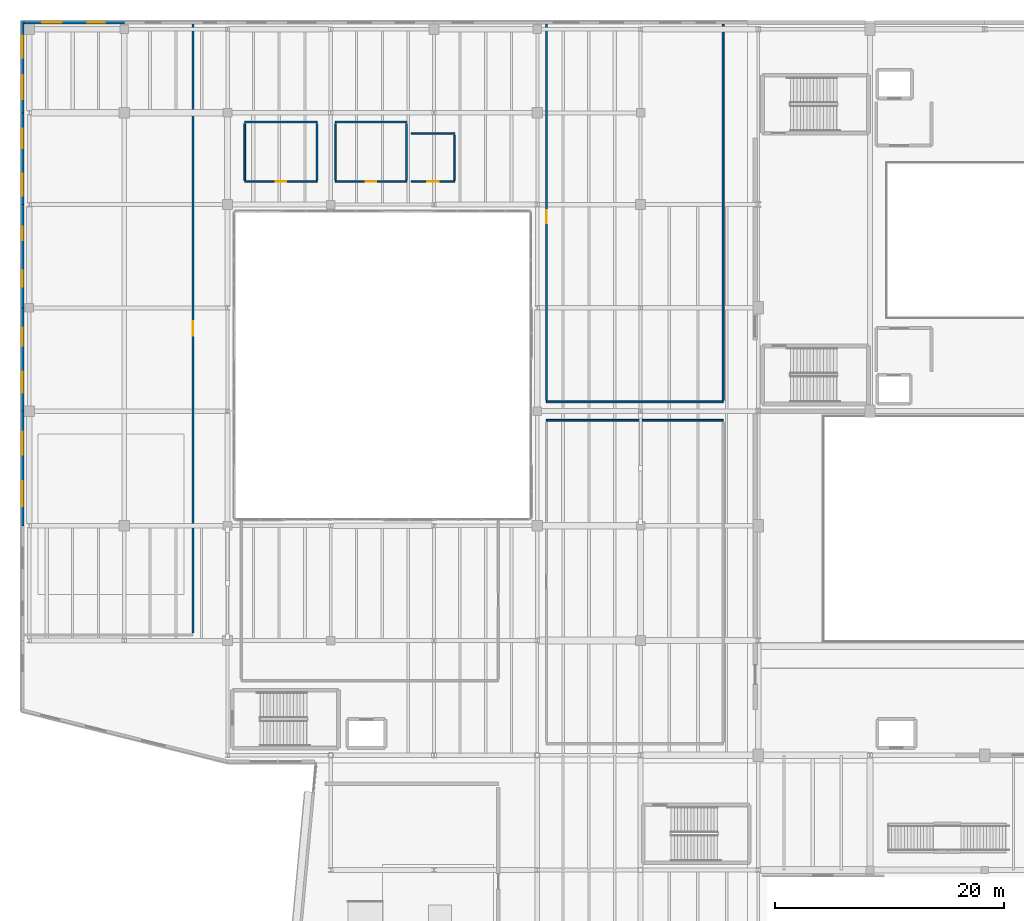
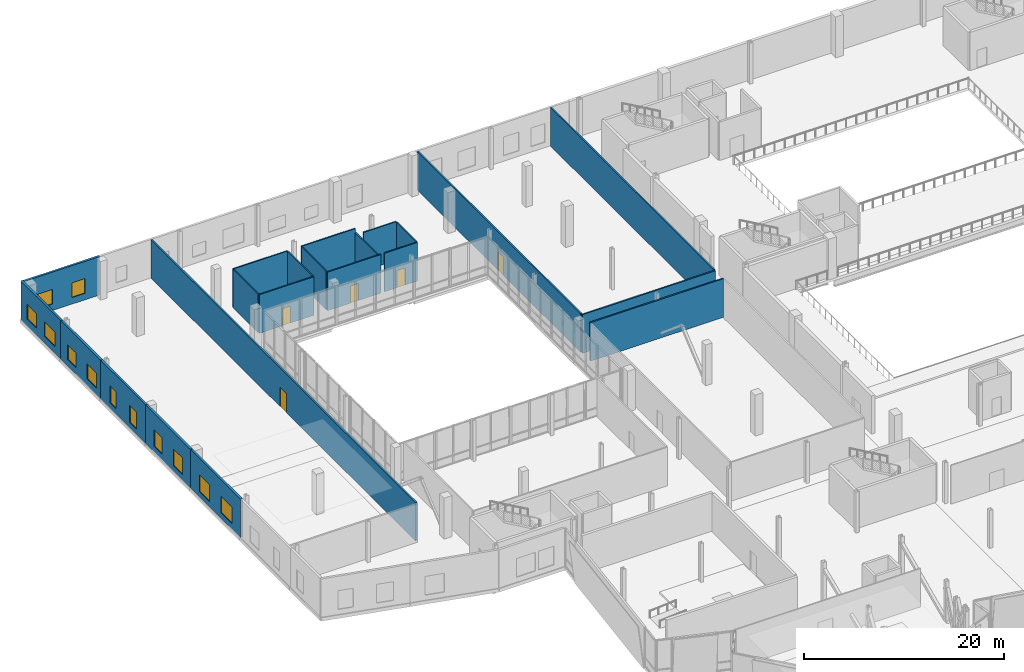
# One storey, part 56 of 73: 22 walls, 12 windows, 5 doors, 17 openings.
"""IFC4 building model written with IfcOpenShell, lengths in metres."""

from ifc_helpers import new_model, si_unit, direction, frame, frame_2d, origin, place, context, subcontext, project, spatial, rectangle, extrude, material, layer, layer_set, type_object, element, fill, save


model = new_model("IFC4")

# Units and contexts
model_context = context("Model", 3, precision=1e-05, world=origin(), true_north=direction((0.0, 1.0)))
body_context = subcontext(model_context, "Body", "Model", "MODEL_VIEW")
ifc_project = project(units=[si_unit("LENGTHUNIT", "METRE"), si_unit("AREAUNIT", "SQUARE_METRE"), si_unit("VOLUMEUNIT", "CUBIC_METRE"), si_unit("PLANEANGLEUNIT", "RADIAN"), si_unit("MASSUNIT", "GRAM", prefix="KILO")], contexts=[model_context])

# Site, building, storey
site_placement = place(None, origin())
site = spatial("IfcSite", under=ifc_project, at=site_placement, CompositionType="ELEMENT")
building_placement = place(site_placement, origin())
building = spatial("IfcBuilding", under=site, at=building_placement, Name="Trimount Lyric Opera House", CompositionType="ELEMENT")
storey_placement = place(building_placement, frame((0.0, 0.0, 10.0)))
storey = spatial("IfcBuildingStorey", under=building, at=storey_placement, Name="L02", CompositionType="ELEMENT", Elevation=10.0)

# Wall, opening, door
ifc_material_1 = material(Name="Moisture-Resistant Gypsum Board")
ifc_layer_1 = layer(ifc_material_1, 0.135009765625)
ifc_layer_set_1 = layer_set([ifc_layer_1], Name="WL-PT135")
wall_type_1 = type_object("IfcWallType", Name="WL-PT135", PredefinedType="PARTITIONING", material=ifc_layer_set_1)
wall_1_placement = place(storey_placement, frame((19.5, 104.0, 0.0), z_axis=(0.0, 0.0, 1.0), x_axis=(1.0, 0.0, 0.0)))
wall_1 = element("IfcWall", 1, at=wall_1_placement, inside=storey, type_object=wall_type_1, Name="L02 L02 Male Restroom S partition", PredefinedType="PARTITIONING", context=body_context, shape_type="SweptSolid", body=[
    extrude(rectangle(XDim=6.300048828125, YDim=0.135009765625, at=frame_2d((3.14990234375, 0.0))), origin(), (0.0, 0.0, 1.0), 4.719970703125),
])
opening_1_placement = place(wall_1_placement, frame((2.68994140625, 0.0, 0.0)))
opening_1 = element("IfcOpeningElement", 2, at=opening_1_placement, cuts=wall_1, Name="Opening DT-WC1", PredefinedType="OPENING", context=body_context, shape_type="SweptSolid", body=[
    extrude(rectangle(XDim=0.919921875, YDim=2.10009765625, at=frame_2d((0.4599609375, 1.050048828125))), frame((0.0, 0.07763671875, 0.0), z_axis=(0.0, -1.0, 0.0), x_axis=(1.0, 0.0, 0.0)), (0.0, 0.0, 1.0), 0.155029296875),
])
ifc_material_2 = material(Name="Moisture-Resistant Solid-Core Laminate")
door_type_1 = type_object("IfcDoorType", Name="DT-WC1", OperationType="NOTDEFINED", PredefinedType="DOOR", material=ifc_material_2)
door_1_placement = place(opening_1_placement, origin())
door_1 = element("IfcDoor", 3, at=door_1_placement, inside=storey, type_object=door_type_1, Name="D-220", OperationType="SINGLE_SWING_RIGHT", OverallHeight=2.10009765625, OverallWidth=0.919921875, PredefinedType="DOOR", context=body_context, shape_type="SweptSolid", body=[
    extrude(rectangle(XDim=0.919921875, YDim=2.10009765625, at=frame_2d((0.4599609375, 1.050048828125))), frame((0.0, 0.02490234375, 0.0), z_axis=(0.0, -1.0, 0.0), x_axis=(1.0, 0.0, 0.0)), (0.0, 0.0, 1.0), 0.050048828125),
])
fill(opening_1, door_1)

# Walls
wall_2_placement = place(storey_placement, frame((25.800048828125, 109.199951171875, 0.0), z_axis=(0.0, 0.0, 1.0), x_axis=(-1.0, 0.0, 0.0)))
element("IfcWall", 4, at=wall_2_placement, inside=storey, type_object=wall_type_1, Name="L02 L02 Male Restroom N partition", PredefinedType="PARTITIONING", context=body_context, shape_type="SweptSolid", body=[
    extrude(rectangle(XDim=6.300048828125, YDim=0.135009765625, at=frame_2d((3.14990234375, 0.0))), origin(), (0.0, 0.0, 1.0), 4.719970703125),
])
for number, where, z_axis, x_axis, name in (
    (5, (19.5, 109.06494140625, 0.0), (0.0, 0.0, 1.0), (0.0, -1.0, 0.0), "L02 L02 Male Restroom W partition"),
    (6, (25.800048828125, 104.135009765625, 0.0), (0.0, 0.0, 1.0), (0.0, 1.0, 0.0), "L02 L02 Male Restroom E partition"),
):
    element("IfcWall", number, at=place(storey_placement, frame(where, z_axis=z_axis, x_axis=x_axis)), inside=storey, type_object=wall_type_1, Name=name, PredefinedType="PARTITIONING", context=body_context, shape_type="SweptSolid", body=[
        extrude(rectangle(XDim=4.929931640625, YDim=0.135009765625, at=frame_2d((2.46484375, 0.0))), origin(), (0.0, 0.0, 1.0), 4.719970703125),
    ])

# Wall, opening, door
wall_3_placement = place(storey_placement, frame((27.39990234375, 104.0, 0.0), z_axis=(0.0, 0.0, 1.0), x_axis=(1.0, 0.0, 0.0)))
wall_3 = element("IfcWall", 7, at=wall_3_placement, inside=storey, type_object=wall_type_1, Name="L02 L02 Female Restroom S partition", PredefinedType="PARTITIONING", context=body_context, shape_type="SweptSolid", body=[
    extrude(rectangle(XDim=6.2001953125, YDim=0.135009765625, at=frame_2d((3.10009765625, 0.0))), origin(), (0.0, 0.0, 1.0), 4.719970703125),
])
opening_2_placement = place(wall_3_placement, frame((2.639892578125, 0.0, 0.0)))
opening_2 = element("IfcOpeningElement", 8, at=opening_2_placement, cuts=wall_3, Name="Opening DT-WC1", PredefinedType="OPENING", context=body_context, shape_type="SweptSolid", body=[
    extrude(rectangle(XDim=0.919921875, YDim=2.10009765625, at=frame_2d((0.4599609375, 1.050048828125))), frame((0.0, 0.07763671875, 0.0), z_axis=(0.0, -1.0, 0.0), x_axis=(1.0, 0.0, 0.0)), (0.0, 0.0, 1.0), 0.155029296875),
])
door_2_placement = place(opening_2_placement, origin())
door_2 = element("IfcDoor", 9, at=door_2_placement, inside=storey, type_object=door_type_1, Name="D-221", OperationType="SINGLE_SWING_LEFT", OverallHeight=2.10009765625, OverallWidth=0.919921875, PredefinedType="DOOR", context=body_context, shape_type="SweptSolid", body=[
    extrude(rectangle(XDim=0.919921875, YDim=2.10009765625, at=frame_2d((0.4599609375, 1.050048828125))), frame((0.0, 0.02490234375, 0.0), z_axis=(0.0, -1.0, 0.0), x_axis=(1.0, 0.0, 0.0)), (0.0, 0.0, 1.0), 0.050048828125),
])
fill(opening_2, door_2)

# Walls
wall_4_placement = place(storey_placement, frame((33.60009765625, 109.199951171875, 0.0), z_axis=(0.0, 0.0, 1.0), x_axis=(-1.0, 0.0, 0.0)))
element("IfcWall", 10, at=wall_4_placement, inside=storey, type_object=wall_type_1, Name="L02 L02 Female Restroom N partition", PredefinedType="PARTITIONING", context=body_context, shape_type="SweptSolid", body=[
    extrude(rectangle(XDim=6.2001953125, YDim=0.135009765625, at=frame_2d((3.10009765625, 0.0))), origin(), (0.0, 0.0, 1.0), 4.719970703125),
])
wall_5_placement = place(storey_placement, frame((27.39990234375, 109.06494140625, 0.0), z_axis=(0.0, 0.0, 1.0), x_axis=(0.0, -1.0, 0.0)))
element("IfcWall", 11, at=wall_5_placement, inside=storey, type_object=wall_type_1, Name="L02 L02 Female Restroom W partition", PredefinedType="PARTITIONING", context=body_context, shape_type="SweptSolid", body=[
    extrude(rectangle(XDim=4.929931640625, YDim=0.135009765625, at=frame_2d((2.46484375, 0.0))), origin(), (0.0, 0.0, 1.0), 4.719970703125),
])
wall_6_placement = place(storey_placement, frame((33.60009765625, 104.135009765625, 0.0), z_axis=(0.0, 0.0, 1.0), x_axis=(0.0, 1.0, 0.0)))
element("IfcWall", 12, at=wall_6_placement, inside=storey, type_object=wall_type_1, Name="L02 L02 Female Restroom E partition", PredefinedType="PARTITIONING", context=body_context, shape_type="SweptSolid", body=[
    extrude(rectangle(XDim=4.929931640625, YDim=0.135009765625, at=frame_2d((2.46484375, 0.0))), origin(), (0.0, 0.0, 1.0), 4.305908203125),
])

# Wall, opening, door
wall_7_placement = place(storey_placement, frame((34.0, 104.0, 0.0), z_axis=(0.0, 0.0, 1.0), x_axis=(1.0, 0.0, 0.0)))
wall_7 = element("IfcWall", 13, at=wall_7_placement, inside=storey, type_object=wall_type_1, Name="L02 L02 Accessible WC S partition", PredefinedType="PARTITIONING", context=body_context, shape_type="SweptSolid", body=[
    extrude(rectangle(XDim=3.800048828125, YDim=0.135009765625, at=frame_2d((1.89990234375, 0.0))), origin(), (0.0, 0.0, 1.0), 4.719970703125),
])
opening_3_placement = place(wall_7_placement, frame((1.409912109375, 0.0, 0.0)))
opening_3 = element("IfcOpeningElement", 14, at=opening_3_placement, cuts=wall_7, Name="Opening DT-WC2", PredefinedType="OPENING", context=body_context, shape_type="SweptSolid", body=[
    extrude(rectangle(XDim=0.97998046875, YDim=2.10009765625, at=frame_2d((0.489990234375, 1.050048828125))), frame((0.0, 0.07763671875, 0.0), z_axis=(0.0, -1.0, 0.0), x_axis=(1.0, 0.0, 0.0)), (0.0, 0.0, 1.0), 0.155029296875),
])
ifc_material_3 = material(Name="Moisture-Resistant Solid-Core Laminate")
door_type_2 = type_object("IfcDoorType", Name="DT-WC2", OperationType="NOTDEFINED", PredefinedType="DOOR", material=ifc_material_3)
door_3_placement = place(opening_3_placement, origin())
door_3 = element("IfcDoor", 15, at=door_3_placement, inside=storey, type_object=door_type_2, Name="D-222", OperationType="SINGLE_SWING_RIGHT", OverallHeight=2.10009765625, OverallWidth=0.97998046875, PredefinedType="DOOR", context=body_context, shape_type="SweptSolid", body=[
    extrude(rectangle(XDim=0.97998046875, YDim=2.10009765625, at=frame_2d((0.489990234375, 1.050048828125))), frame((0.0, 0.02490234375, 0.0), z_axis=(0.0, -1.0, 0.0), x_axis=(1.0, 0.0, 0.0)), (0.0, 0.0, 1.0), 0.050048828125),
])
fill(opening_3, door_3)

# Walls
wall_8_placement = place(storey_placement, frame((37.800048828125, 108.199951171875, 0.0), z_axis=(0.0, 0.0, 1.0), x_axis=(-1.0, 0.0, 0.0)))
element("IfcWall", 16, at=wall_8_placement, inside=storey, type_object=wall_type_1, Name="L02 L02 Accessible WC N partition", PredefinedType="PARTITIONING", context=body_context, shape_type="SweptSolid", body=[
    extrude(rectangle(XDim=3.800048828125, YDim=0.135009765625, at=frame_2d((1.89990234375, 0.0))), origin(), (0.0, 0.0, 1.0), 4.719970703125),
])
wall_9_placement = place(storey_placement, frame((37.800048828125, 104.135009765625, 0.0), z_axis=(0.0, 0.0, 1.0), x_axis=(0.0, 1.0, 0.0)))
element("IfcWall", 17, at=wall_9_placement, inside=storey, type_object=wall_type_1, Name="L02 L02 Accessible WC E partition", PredefinedType="PARTITIONING", context=body_context, shape_type="SweptSolid", body=[
    extrude(rectangle(XDim=3.929931640625, YDim=0.135009765625, at=frame_2d((1.96484375, 0.0))), origin(), (0.0, 0.0, 1.0), 4.719970703125),
])
ifc_material_4 = material(Name="Acoustic Double-Stud Gypsum Board")
ifc_layer_2 = layer(ifc_material_4, 0.1650390625)
ifc_layer_set_2 = layer_set([ifc_layer_2], Name="WL-PT165")
wall_type_2 = type_object("IfcWallType", Name="WL-PT165", PredefinedType="PARTITIONING", material=ifc_layer_set_2)
for number, where, z_axis, x_axis, name in (
    (18, (61.199951171875, 83.199951171875, 0.0), (0.0, 0.0, 1.0), (-1.0, 0.0, 0.0), "L02 Stage Movement & Fencing Studio N partition"),
    (19, (45.800048828125, 84.800048828125, 0.0), (0.0, 0.0, 1.0), (1.0, 0.0, 0.0), "L02 Chamber Music Practice Suite S partition"),
):
    element("IfcWall", number, at=place(storey_placement, frame(where, z_axis=z_axis, x_axis=x_axis)), inside=storey, type_object=wall_type_2, Name=name, PredefinedType="PARTITIONING", context=body_context, shape_type="SweptSolid", body=[
        extrude(rectangle(XDim=15.39990234375, YDim=0.1650390625, at=frame_2d((7.699951171875, 0.0))), origin(), (0.0, 0.0, 1.0), 4.719970703125),
    ])

# Wall, opening, door
wall_10_placement = place(storey_placement, frame((45.800048828125, 117.719970703125, 0.0), z_axis=(0.0, 0.0, 1.0), x_axis=(0.0, -1.0, 0.0)))
wall_10 = element("IfcWall", 20, at=wall_10_placement, inside=storey, type_object=wall_type_2, Name="L02 Chamber Music Practice Suite W partition", PredefinedType="PARTITIONING", context=body_context, shape_type="SweptSolid", body=[
    extrude(rectangle(XDim=32.7548828125, YDim=0.1650390625, at=frame_2d((16.37744140625, 0.0))), origin(), (0.0, 0.0, 1.0), 4.719970703125),
])
opening_4_placement = place(wall_10_placement, frame((16.217529296875, 0.0, 0.0)))
opening_4 = element("IfcOpeningElement", 21, at=opening_4_placement, cuts=wall_10, Name="Opening DT-AC2", PredefinedType="OPENING", context=body_context, shape_type="SweptSolid", body=[
    extrude(rectangle(XDim=1.1201171875, YDim=2.25, at=frame_2d((0.56005859375, 1.125))), frame((0.0, 0.092529296875, 0.0), z_axis=(0.0, -1.0, 0.0), x_axis=(1.0, 0.0, 0.0)), (0.0, 0.0, 1.0), 0.18505859375),
])
ifc_material_5 = material(Name="Acoustic Steel-Core Timber", Category="steel")
door_type_3 = type_object("IfcDoorType", Name="DT-AC2", OperationType="NOTDEFINED", PredefinedType="DOOR", material=ifc_material_5)
door_4_placement = place(opening_4_placement, origin())
door_4 = element("IfcDoor", 22, at=door_4_placement, inside=storey, type_object=door_type_3, Name="D-216", OperationType="SINGLE_SWING_RIGHT", OverallHeight=2.25, OverallWidth=1.1201171875, PredefinedType="DOOR", context=body_context, shape_type="SweptSolid", body=[
    extrude(rectangle(XDim=1.1201171875, YDim=2.25, at=frame_2d((0.56005859375, 1.125))), frame((0.0, 0.02490234375, 0.0), z_axis=(0.0, -1.0, 0.0), x_axis=(1.0, 0.0, 0.0)), (0.0, 0.0, 1.0), 0.050048828125),
])
fill(opening_4, door_4)

# Wall
wall_11_placement = place(storey_placement, frame((61.199951171875, 84.965087890625, 0.0), z_axis=(0.0, 0.0, 1.0), x_axis=(0.0, 1.0, 0.0)))
element("IfcWall", 23, at=wall_11_placement, inside=storey, type_object=wall_type_2, Name="L02 Chamber Music Practice Suite E partition", PredefinedType="PARTITIONING", context=body_context, shape_type="SweptSolid", body=[
    extrude(rectangle(XDim=32.7548828125, YDim=0.1650390625, at=frame_2d((16.37744140625, 0.0))), origin(), (0.0, 0.0, 1.0), 4.719970703125),
])

# Wall, opening, door
ifc_material_6 = material(Name="Acoustic Double-Stud Gypsum Board")
ifc_layer_3 = layer(ifc_material_6, 0.179931640625)
ifc_layer_set_3 = layer_set([ifc_layer_3], Name="WL-PT180")
wall_type_3 = type_object("IfcWallType", Name="WL-PT180", PredefinedType="PARTITIONING", material=ifc_layer_set_3)
wall_12_placement = place(storey_placement, frame((15.0, 64.679931640625, 0.0), z_axis=(0.0, 0.0, 1.0), x_axis=(0.0, 1.0, 0.0)))
wall_12 = element("IfcWall", 24, at=wall_12_placement, inside=storey, type_object=wall_type_3, Name="L02 Chorus Rehearsal Hall E partition", PredefinedType="PARTITIONING", context=body_context, shape_type="SweptSolid", body=[
    extrude(rectangle(XDim=53.0400390625, YDim=0.179931640625, at=frame_2d((26.52001953125, 0.0))), origin(), (0.0, 0.0, 1.0), 4.7099609375),
])
opening_5_placement = place(wall_12_placement, frame((25.8701171875, 0.0, 0.0)))
opening_5 = element("IfcOpeningElement", 25, at=opening_5_placement, cuts=wall_12, Name="Opening DT-AC1", PredefinedType="OPENING", context=body_context, shape_type="SweptSolid", body=[
    extrude(rectangle(XDim=1.300048828125, YDim=2.35009765625, at=frame_2d((0.64990234375, 1.175048828125))), frame((0.0, 0.10009765625, 0.0), z_axis=(0.0, -1.0, 0.0), x_axis=(1.0, 0.0, 0.0)), (0.0, 0.0, 1.0), 0.199951171875),
])
ifc_material_7 = material(Name="Acoustic Steel-Core Timber", Category="steel")
door_type_4 = type_object("IfcDoorType", Name="DT-AC1", OperationType="NOTDEFINED", PredefinedType="DOOR", material=ifc_material_7)
door_5_placement = place(opening_5_placement, origin())
door_5 = element("IfcDoor", 26, at=door_5_placement, inside=storey, type_object=door_type_4, Name="D-213", OperationType="SINGLE_SWING_LEFT", OverallHeight=2.35009765625, OverallWidth=1.300048828125, PredefinedType="DOOR", context=body_context, shape_type="SweptSolid", body=[
    extrude(rectangle(XDim=1.300048828125, YDim=2.35009765625, at=frame_2d((0.64990234375, 1.175048828125))), frame((0.0, 0.02490234375, 0.0), z_axis=(0.0, -1.0, 0.0), x_axis=(1.0, 0.0, 0.0)), (0.0, 0.0, 1.0), 0.050048828125),
])
fill(opening_5, door_5)

# Wall, openings, windows
ifc_material_8 = material(Name="Concrete C35/45", Category="concrete")
ifc_layer_4 = layer(ifc_material_8, 0.239990234375)
ifc_layer_set_4 = layer_set([ifc_layer_4], Name="WL-SW240")
wall_type_4 = type_object("IfcWallType", Name="WL-SW240", PredefinedType="SOLIDWALL", material=ifc_layer_set_4)
wall_13_placement = place(storey_placement, frame((0.139892578125, 74.0, 0.0), z_axis=(0.0, 0.0, 1.0), x_axis=(0.0, 1.0, 0.0)))
wall_13 = element("IfcWall", 27, at=wall_13_placement, inside=storey, type_object=wall_type_4, Name="L02 exterior facade wall 199", PredefinedType="SOLIDWALL", context=body_context, shape_type="SweptSolid", body=[
    extrude(rectangle(XDim=10.0, YDim=0.239990234375, at=frame_2d((5.0, 0.0))), origin(), (0.0, 0.0, 1.0), 4.7099609375),
])
opening_6_placement = place(wall_13_placement, frame((1.699951171875, 0.0, 0.64990234375)))
opening_6 = element("IfcOpeningElement", 28, at=opening_6_placement, cuts=wall_13, Name="Opening WT-09", PredefinedType="OPENING", context=body_context, shape_type="SweptSolid", body=[
    extrude(rectangle(XDim=2.199951171875, YDim=2.050048828125, at=frame_2d((1.10009765625, 1.02490234375))), frame((0.0, 0.1298828125, 0.0), z_axis=(0.0, -1.0, 0.0), x_axis=(1.0, 0.0, 0.0)), (0.0, 0.0, 1.0), 0.260009765625),
])
opening_7_placement = place(wall_13_placement, frame((6.199951171875, 0.0, 0.64990234375)))
opening_7 = element("IfcOpeningElement", 29, at=opening_7_placement, cuts=wall_13, Name="Opening WT-10", PredefinedType="OPENING", context=body_context, shape_type="SweptSolid", body=[
    extrude(rectangle(XDim=2.0, YDim=2.050048828125, at=frame_2d((1.0, 1.02490234375))), frame((0.0, 0.1298828125, 0.0), z_axis=(0.0, -1.0, 0.0), x_axis=(1.0, 0.0, 0.0)), (0.0, 0.0, 1.0), 0.260009765625),
])
ifc_material_9 = material(Name="Low-E Insulated Glazing in Bronze Frame", Category="glass")
window_type_1 = type_object("IfcWindowType", Name="WT-09", PartitioningType="DOUBLE_PANEL_VERTICAL", PredefinedType="WINDOW", material=ifc_material_9)
window_1_placement = place(opening_6_placement, origin())
window_1 = element("IfcWindow", 30, at=window_1_placement, inside=storey, type_object=window_type_1, Name="Window WT-09-0139", OverallHeight=2.050048828125, OverallWidth=2.199951171875, PartitioningType="SINGLE_PANEL", PredefinedType="WINDOW", context=body_context, shape_type="SweptSolid", body=[
    extrude(rectangle(XDim=2.199951171875, YDim=2.050048828125, at=frame_2d((1.10009765625, 1.02490234375))), frame((0.0, 0.030029296875, 0.0), z_axis=(0.0, -1.0, 0.0), x_axis=(1.0, 0.0, 0.0)), (0.0, 0.0, 1.0), 0.06005859375),
])
fill(opening_6, window_1)
ifc_material_10 = material(Name="Low-E Insulated Glazing in Bronze Frame", Category="glass")
window_type_2 = type_object("IfcWindowType", Name="WT-10", PartitioningType="DOUBLE_PANEL_VERTICAL", PredefinedType="WINDOW", material=ifc_material_10)
window_2_placement = place(opening_7_placement, origin())
window_2 = element("IfcWindow", 31, at=window_2_placement, inside=storey, type_object=window_type_2, Name="Window WT-10-0140", OverallHeight=2.050048828125, OverallWidth=2.0, PartitioningType="SINGLE_PANEL", PredefinedType="WINDOW", context=body_context, shape_type="SweptSolid", body=[
    extrude(rectangle(XDim=2.0, YDim=2.050048828125, at=frame_2d((1.0, 1.02490234375))), frame((0.0, 0.030029296875, 0.0), z_axis=(0.0, -1.0, 0.0), x_axis=(1.0, 0.0, 0.0)), (0.0, 0.0, 1.0), 0.06005859375),
])
fill(opening_7, window_2)

wall_14_placement = place(storey_placement, frame((0.139892578125, 84.0, 0.0), z_axis=(0.0, 0.0, 1.0), x_axis=(0.0, 1.0, 0.0)))
wall_14 = element("IfcWall", 32, at=wall_14_placement, inside=storey, type_object=wall_type_4, Name="L02 exterior facade wall 200", PredefinedType="SOLIDWALL", context=body_context, shape_type="SweptSolid", body=[
    extrude(rectangle(XDim=9.0, YDim=0.239990234375, at=frame_2d((4.5, 0.0))), origin(), (0.0, 0.0, 1.0), 4.7099609375),
])
opening_8_placement = place(wall_14_placement, frame((1.6201171875, 0.0, 0.64990234375)))
opening_8 = element("IfcOpeningElement", 33, at=opening_8_placement, cuts=wall_14, Name="Opening WT-11", PredefinedType="OPENING", context=body_context, shape_type="SweptSolid", body=[
    extrude(rectangle(XDim=1.800048828125, YDim=2.050048828125, at=frame_2d((0.89990234375, 1.02490234375))), frame((0.0, 0.1298828125, 0.0), z_axis=(0.0, -1.0, 0.0), x_axis=(1.0, 0.0, 0.0)), (0.0, 0.0, 1.0), 0.260009765625),
])
opening_9_placement = place(wall_14_placement, frame((5.679931640625, 0.0, 0.64990234375)))
opening_9 = element("IfcOpeningElement", 34, at=opening_9_placement, cuts=wall_14, Name="Opening WT-12", PredefinedType="OPENING", context=body_context, shape_type="SweptSolid", body=[
    extrude(rectangle(XDim=1.60009765625, YDim=2.050048828125, at=frame_2d((0.800048828125, 1.02490234375))), frame((0.0, 0.1298828125, 0.0), z_axis=(0.0, -1.0, 0.0), x_axis=(1.0, 0.0, 0.0)), (0.0, 0.0, 1.0), 0.260009765625),
])
ifc_material_11 = material(Name="Low-E Insulated Glazing in Bronze Frame", Category="glass")
window_type_3 = type_object("IfcWindowType", Name="WT-11", PartitioningType="DOUBLE_PANEL_VERTICAL", PredefinedType="WINDOW", material=ifc_material_11)
window_3_placement = place(opening_8_placement, origin())
window_3 = element("IfcWindow", 35, at=window_3_placement, inside=storey, type_object=window_type_3, Name="Window WT-11-0141", OverallHeight=2.050048828125, OverallWidth=1.800048828125, PartitioningType="SINGLE_PANEL", PredefinedType="WINDOW", context=body_context, shape_type="SweptSolid", body=[
    extrude(rectangle(XDim=1.800048828125, YDim=2.050048828125, at=frame_2d((0.89990234375, 1.02490234375))), frame((0.0, 0.030029296875, 0.0), z_axis=(0.0, -1.0, 0.0), x_axis=(1.0, 0.0, 0.0)), (0.0, 0.0, 1.0), 0.06005859375),
])
fill(opening_8, window_3)
ifc_material_12 = material(Name="Low-E Insulated Glazing in Bronze Frame", Category="glass")
window_type_4 = type_object("IfcWindowType", Name="WT-12", PartitioningType="SINGLE_PANEL", PredefinedType="WINDOW", material=ifc_material_12)
window_4_placement = place(opening_9_placement, origin())
window_4 = element("IfcWindow", 36, at=window_4_placement, inside=storey, type_object=window_type_4, Name="Window WT-12-0142", OverallHeight=2.050048828125, OverallWidth=1.60009765625, PartitioningType="SINGLE_PANEL", PredefinedType="WINDOW", context=body_context, shape_type="SweptSolid", body=[
    extrude(rectangle(XDim=1.60009765625, YDim=2.050048828125, at=frame_2d((0.800048828125, 1.02490234375))), frame((0.0, 0.030029296875, 0.0), z_axis=(0.0, -1.0, 0.0), x_axis=(1.0, 0.0, 0.0)), (0.0, 0.0, 1.0), 0.06005859375),
])
fill(opening_9, window_4)

wall_15_placement = place(storey_placement, frame((0.139892578125, 93.0, 0.0), z_axis=(0.0, 0.0, 1.0), x_axis=(0.0, 1.0, 0.0)))
wall_15 = element("IfcWall", 37, at=wall_15_placement, inside=storey, type_object=wall_type_4, Name="L02 exterior facade wall 201", PredefinedType="SOLIDWALL", context=body_context, shape_type="SweptSolid", body=[
    extrude(rectangle(XDim=9.0, YDim=0.239990234375, at=frame_2d((4.5, 0.0))), origin(), (0.0, 0.0, 1.0), 4.7099609375),
])
opening_10_placement = place(wall_15_placement, frame((1.820068359375, 0.0, 0.64990234375)))
opening_10 = element("IfcOpeningElement", 38, at=opening_10_placement, cuts=wall_15, Name="Opening WT-13", PredefinedType="OPENING", context=body_context, shape_type="SweptSolid", body=[
    extrude(rectangle(XDim=1.39990234375, YDim=2.050048828125, at=frame_2d((0.699951171875, 1.02490234375))), frame((0.0, 0.1298828125, 0.0), z_axis=(0.0, -1.0, 0.0), x_axis=(1.0, 0.0, 0.0)), (0.0, 0.0, 1.0), 0.260009765625),
])
opening_11_placement = place(wall_15_placement, frame((5.8798828125, 0.0, 0.64990234375)))
opening_11 = element("IfcOpeningElement", 39, at=opening_11_placement, cuts=wall_15, Name="Opening WT-14", PredefinedType="OPENING", context=body_context, shape_type="SweptSolid", body=[
    extrude(rectangle(XDim=1.199951171875, YDim=2.050048828125, at=frame_2d((0.60009765625, 1.02490234375))), frame((0.0, 0.1298828125, 0.0), z_axis=(0.0, -1.0, 0.0), x_axis=(1.0, 0.0, 0.0)), (0.0, 0.0, 1.0), 0.260009765625),
])
ifc_material_13 = material(Name="Low-E Insulated Glazing in Bronze Frame", Category="glass")
window_type_5 = type_object("IfcWindowType", Name="WT-13", PartitioningType="SINGLE_PANEL", PredefinedType="WINDOW", material=ifc_material_13)
window_5_placement = place(opening_10_placement, origin())
window_5 = element("IfcWindow", 40, at=window_5_placement, inside=storey, type_object=window_type_5, Name="Window WT-13-0143", OverallHeight=2.050048828125, OverallWidth=1.39990234375, PartitioningType="SINGLE_PANEL", PredefinedType="WINDOW", context=body_context, shape_type="SweptSolid", body=[
    extrude(rectangle(XDim=1.39990234375, YDim=2.050048828125, at=frame_2d((0.699951171875, 1.02490234375))), frame((0.0, 0.030029296875, 0.0), z_axis=(0.0, -1.0, 0.0), x_axis=(1.0, 0.0, 0.0)), (0.0, 0.0, 1.0), 0.06005859375),
])
fill(opening_10, window_5)
ifc_material_14 = material(Name="Low-E Insulated Glazing in Bronze Frame", Category="glass")
window_type_6 = type_object("IfcWindowType", Name="WT-14", PartitioningType="SINGLE_PANEL", PredefinedType="WINDOW", material=ifc_material_14)
window_6_placement = place(opening_11_placement, origin())
window_6 = element("IfcWindow", 41, at=window_6_placement, inside=storey, type_object=window_type_6, Name="Window WT-14-0144", OverallHeight=2.050048828125, OverallWidth=1.199951171875, PartitioningType="SINGLE_PANEL", PredefinedType="WINDOW", context=body_context, shape_type="SweptSolid", body=[
    extrude(rectangle(XDim=1.199951171875, YDim=2.050048828125, at=frame_2d((0.60009765625, 1.02490234375))), frame((0.0, 0.030029296875, 0.0), z_axis=(0.0, -1.0, 0.0), x_axis=(1.0, 0.0, 0.0)), (0.0, 0.0, 1.0), 0.06005859375),
])
fill(opening_11, window_6)

wall_16_placement = place(storey_placement, frame((0.139892578125, 102.0, 0.0), z_axis=(0.0, 0.0, 1.0), x_axis=(0.0, 1.0, 0.0)))
wall_16 = element("IfcWall", 42, at=wall_16_placement, inside=storey, type_object=wall_type_4, Name="L02 exterior facade wall 202", PredefinedType="SOLIDWALL", context=body_context, shape_type="SweptSolid", body=[
    extrude(rectangle(XDim=8.0, YDim=0.239990234375, at=frame_2d((4.0, 0.0))), origin(), (0.0, 0.0, 1.0), 4.7099609375),
])
opening_12_placement = place(wall_16_placement, frame((0.7900390625, 0.0, 0.800048828125)))
opening_12 = element("IfcOpeningElement", 43, at=opening_12_placement, cuts=wall_16, Name="Opening WT-18", PredefinedType="OPENING", context=body_context, shape_type="SweptSolid", body=[
    extrude(rectangle(XDim=1.89990234375, YDim=1.800048828125, at=frame_2d((0.949951171875, 0.89990234375))), frame((0.0, 0.1298828125, 0.0), z_axis=(0.0, -1.0, 0.0), x_axis=(1.0, 0.0, 0.0)), (0.0, 0.0, 1.0), 0.260009765625),
])
opening_13_placement = place(wall_16_placement, frame((4.909912109375, 0.0, 0.800048828125)))
opening_13 = element("IfcOpeningElement", 44, at=opening_13_placement, cuts=wall_16, Name="Opening WT-19", PredefinedType="OPENING", context=body_context, shape_type="SweptSolid", body=[
    extrude(rectangle(XDim=1.699951171875, YDim=1.800048828125, at=frame_2d((0.85009765625, 0.89990234375))), frame((0.0, 0.1298828125, 0.0), z_axis=(0.0, -1.0, 0.0), x_axis=(1.0, 0.0, 0.0)), (0.0, 0.0, 1.0), 0.260009765625),
])
ifc_material_15 = material(Name="Dressing Suite Acoustic Window")
window_type_7 = type_object("IfcWindowType", Name="WT-18", PartitioningType="DOUBLE_PANEL_VERTICAL", PredefinedType="WINDOW", material=ifc_material_15)
window_7_placement = place(opening_12_placement, origin())
window_7 = element("IfcWindow", 45, at=window_7_placement, inside=storey, type_object=window_type_7, Name="Window WT-18-0145", OverallHeight=1.800048828125, OverallWidth=1.89990234375, PartitioningType="SINGLE_PANEL", PredefinedType="WINDOW", context=body_context, shape_type="SweptSolid", body=[
    extrude(rectangle(XDim=1.89990234375, YDim=1.800048828125, at=frame_2d((0.949951171875, 0.89990234375))), frame((0.0, 0.030029296875, 0.0), z_axis=(0.0, -1.0, 0.0), x_axis=(1.0, 0.0, 0.0)), (0.0, 0.0, 1.0), 0.06005859375),
])
fill(opening_12, window_7)
ifc_material_16 = material(Name="Dressing Suite Acoustic Window")
window_type_8 = type_object("IfcWindowType", Name="WT-19", PartitioningType="SINGLE_PANEL", PredefinedType="WINDOW", material=ifc_material_16)
window_8_placement = place(opening_13_placement, origin())
window_8 = element("IfcWindow", 46, at=window_8_placement, inside=storey, type_object=window_type_8, Name="Window WT-19-0146", OverallHeight=1.800048828125, OverallWidth=1.699951171875, PartitioningType="SINGLE_PANEL", PredefinedType="WINDOW", context=body_context, shape_type="SweptSolid", body=[
    extrude(rectangle(XDim=1.699951171875, YDim=1.800048828125, at=frame_2d((0.85009765625, 0.89990234375))), frame((0.0, 0.030029296875, 0.0), z_axis=(0.0, -1.0, 0.0), x_axis=(1.0, 0.0, 0.0)), (0.0, 0.0, 1.0), 0.06005859375),
])
fill(opening_13, window_8)

wall_17_placement = place(storey_placement, frame((0.139892578125, 110.0, 0.0), z_axis=(0.0, 0.0, 1.0), x_axis=(0.0, 1.0, 0.0)))
wall_17 = element("IfcWall", 47, at=wall_17_placement, inside=storey, type_object=wall_type_4, Name="L02 exterior facade wall 203", PredefinedType="SOLIDWALL", context=body_context, shape_type="SweptSolid", body=[
    extrude(rectangle(XDim=8.0, YDim=0.239990234375, at=frame_2d((4.0, 0.0))), origin(), (0.0, 0.0, 1.0), 4.7099609375),
])
opening_14_placement = place(wall_17_placement, frame((1.18994140625, 0.0, 0.800048828125)))
opening_14 = element("IfcOpeningElement", 48, at=opening_14_placement, cuts=wall_17, Name="Opening WT-17", PredefinedType="OPENING", context=body_context, shape_type="SweptSolid", body=[
    extrude(rectangle(XDim=2.10009765625, YDim=1.800048828125, at=frame_2d((1.050048828125, 0.89990234375))), frame((0.0, 0.1298828125, 0.0), z_axis=(0.0, -1.0, 0.0), x_axis=(1.0, 0.0, 0.0)), (0.0, 0.0, 1.0), 0.260009765625),
])
opening_15_placement = place(wall_17_placement, frame((4.81005859375, 0.0, 0.800048828125)))
opening_15 = element("IfcOpeningElement", 49, at=opening_15_placement, cuts=wall_17, Name="Opening WT-18", PredefinedType="OPENING", context=body_context, shape_type="SweptSolid", body=[
    extrude(rectangle(XDim=1.89990234375, YDim=1.800048828125, at=frame_2d((0.949951171875, 0.89990234375))), frame((0.0, 0.1298828125, 0.0), z_axis=(0.0, -1.0, 0.0), x_axis=(1.0, 0.0, 0.0)), (0.0, 0.0, 1.0), 0.260009765625),
])
ifc_material_17 = material(Name="Dressing Suite Acoustic Window")
window_type_9 = type_object("IfcWindowType", Name="WT-17", PartitioningType="DOUBLE_PANEL_VERTICAL", PredefinedType="WINDOW", material=ifc_material_17)
window_9_placement = place(opening_14_placement, origin())
window_9 = element("IfcWindow", 50, at=window_9_placement, inside=storey, type_object=window_type_9, Name="Window WT-17-0147", OverallHeight=1.800048828125, OverallWidth=2.10009765625, PartitioningType="SINGLE_PANEL", PredefinedType="WINDOW", context=body_context, shape_type="SweptSolid", body=[
    extrude(rectangle(XDim=2.10009765625, YDim=1.800048828125, at=frame_2d((1.050048828125, 0.89990234375))), frame((0.0, 0.030029296875, 0.0), z_axis=(0.0, -1.0, 0.0), x_axis=(1.0, 0.0, 0.0)), (0.0, 0.0, 1.0), 0.06005859375),
])
fill(opening_14, window_9)
window_10_placement = place(opening_15_placement, origin())
window_10 = element("IfcWindow", 51, at=window_10_placement, inside=storey, type_object=window_type_7, Name="Window WT-18-0148", OverallHeight=1.800048828125, OverallWidth=1.89990234375, PartitioningType="SINGLE_PANEL", PredefinedType="WINDOW", context=body_context, shape_type="SweptSolid", body=[
    extrude(rectangle(XDim=1.89990234375, YDim=1.800048828125, at=frame_2d((0.949951171875, 0.89990234375))), frame((0.0, 0.030029296875, 0.0), z_axis=(0.0, -1.0, 0.0), x_axis=(1.0, 0.0, 0.0)), (0.0, 0.0, 1.0), 0.06005859375),
])
fill(opening_15, window_10)

wall_18_placement = place(storey_placement, frame((0.264892578125, 117.860107421875, 0.0), z_axis=(0.0, 0.0, 1.0), x_axis=(1.0, 0.0, 0.0)))
wall_18 = element("IfcWall", 52, at=wall_18_placement, inside=storey, type_object=wall_type_4, Name="L02 exterior facade wall 204", PredefinedType="SOLIDWALL", context=body_context, shape_type="SweptSolid", body=[
    extrude(rectangle(XDim=8.735107421875, YDim=0.239990234375, at=frame_2d((4.36767578125, 0.0))), origin(), (0.0, 0.0, 1.0), 4.7099609375),
])
opening_16_placement = place(wall_18_placement, frame((1.595703125, 0.0, 0.800048828125)))
opening_16 = element("IfcOpeningElement", 53, at=opening_16_placement, cuts=wall_18, Name="Opening WT-19", PredefinedType="OPENING", context=body_context, shape_type="SweptSolid", body=[
    extrude(rectangle(XDim=1.699951171875, YDim=1.800048828125, at=frame_2d((0.85009765625, 0.89990234375))), frame((0.0, 0.1298828125, 0.0), z_axis=(0.0, -1.0, 0.0), x_axis=(1.0, 0.0, 0.0)), (0.0, 0.0, 1.0), 0.260009765625),
])
opening_17_placement = place(wall_18_placement, frame((5.539306640625, 0.0, 0.800048828125)))
opening_17 = element("IfcOpeningElement", 54, at=opening_17_placement, cuts=wall_18, Name="Opening WT-20", PredefinedType="OPENING", context=body_context, shape_type="SweptSolid", body=[
    extrude(rectangle(XDim=1.5, YDim=1.800048828125, at=frame_2d((0.75, 0.89990234375))), frame((0.0, 0.1298828125, 0.0), z_axis=(0.0, -1.0, 0.0), x_axis=(1.0, 0.0, 0.0)), (0.0, 0.0, 1.0), 0.260009765625),
])
window_11_placement = place(opening_16_placement, origin())
window_11 = element("IfcWindow", 55, at=window_11_placement, inside=storey, type_object=window_type_8, Name="Window WT-19-0149", OverallHeight=1.800048828125, OverallWidth=1.699951171875, PartitioningType="SINGLE_PANEL", PredefinedType="WINDOW", context=body_context, shape_type="SweptSolid", body=[
    extrude(rectangle(XDim=1.699951171875, YDim=1.800048828125, at=frame_2d((0.85009765625, 0.89990234375))), frame((0.0, 0.030029296875, 0.0), z_axis=(0.0, -1.0, 0.0), x_axis=(1.0, 0.0, 0.0)), (0.0, 0.0, 1.0), 0.06005859375),
])
fill(opening_16, window_11)
ifc_material_18 = material(Name="Dressing Suite Acoustic Window")
window_type_10 = type_object("IfcWindowType", Name="WT-20", PartitioningType="SINGLE_PANEL", PredefinedType="WINDOW", material=ifc_material_18)
window_12_placement = place(opening_17_placement, origin())
window_12 = element("IfcWindow", 56, at=window_12_placement, inside=storey, type_object=window_type_10, Name="Window WT-20-0150", OverallHeight=1.800048828125, OverallWidth=1.5, PartitioningType="SINGLE_PANEL", PredefinedType="WINDOW", context=body_context, shape_type="SweptSolid", body=[
    extrude(rectangle(XDim=1.5, YDim=1.800048828125, at=frame_2d((0.75, 0.89990234375))), frame((0.0, 0.030029296875, 0.0), z_axis=(0.0, -1.0, 0.0), x_axis=(1.0, 0.0, 0.0)), (0.0, 0.0, 1.0), 0.06005859375),
])
fill(opening_17, window_12)

save(model, "model.ifc")
